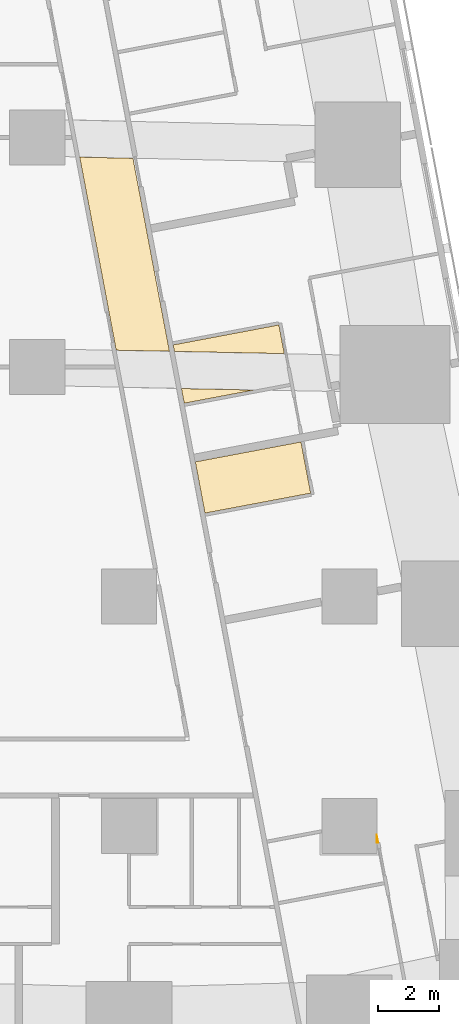
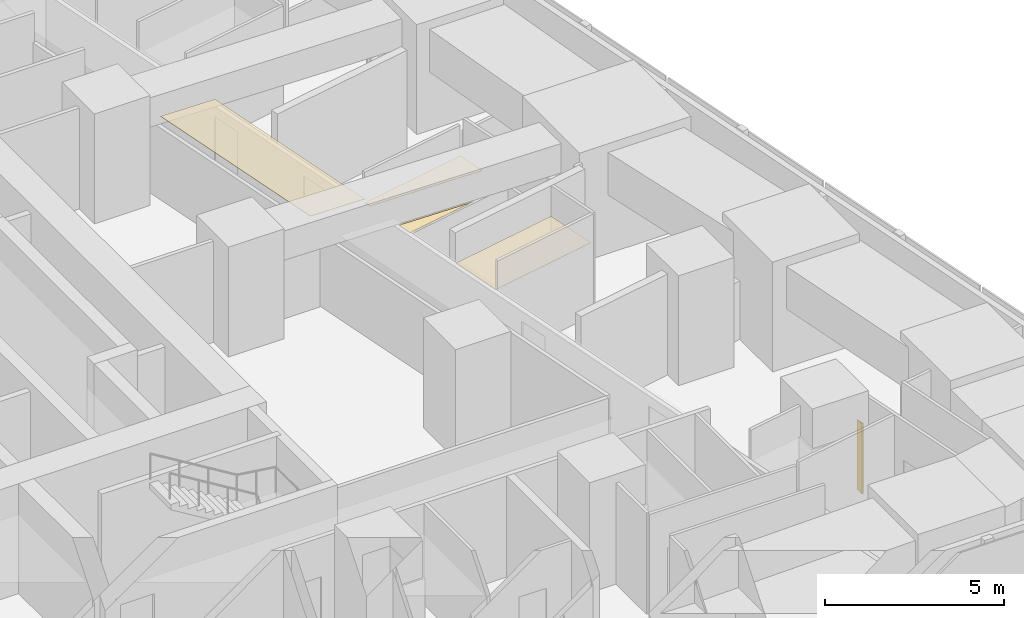
# One storey, part 14 of 15: 5 coverings.
"""IFC4 building model written with IfcOpenShell, lengths in metres."""

from ifc_helpers import new_model, si_unit, direction, frame, origin, place, context, subcontext, project, spatial, polyline, outline, extrude, material, layer, layer_set, type_object, element, save


model = new_model("IFC4")

# Units and contexts
model_context = context("Model", 3, precision=1e-05, world=origin(), true_north=direction((0.0, 1.0)))
body_context = subcontext(model_context, "Body", "Model", "MODEL_VIEW")
ifc_project = project(units=[si_unit("LENGTHUNIT", "METRE"), si_unit("AREAUNIT", "SQUARE_METRE"), si_unit("VOLUMEUNIT", "CUBIC_METRE"), si_unit("PLANEANGLEUNIT", "RADIAN"), si_unit("MASSUNIT", "GRAM", prefix="KILO")], contexts=[model_context])

# Site, building, storey
site_placement = place(None, origin())
site = spatial("IfcSite", under=ifc_project, at=site_placement, CompositionType="ELEMENT")
building_placement = place(site_placement, origin())
building = spatial("IfcBuilding", under=site, at=building_placement, Name="Sheger Commons Tower", CompositionType="ELEMENT")
storey_placement = place(building_placement, frame((0.0, 0.0, 68.75)))
storey = spatial("IfcBuildingStorey", under=building, at=storey_placement, Name="L17", CompositionType="ELEMENT", Elevation=68.75)

# Coverings
ifc_material_1 = material(Name="Moisture-resistant gypsum plasterboard 15 mm on a suspended galvanised steel grid", Category="steel")
ifc_layer_1 = layer(ifc_material_1, 0.014892578125)
ifc_layer_set_1 = layer_set([ifc_layer_1], Name="MOISTURE-RESISTANT CEILING 15")
covering_type_1 = type_object("IfcCoveringType", Name="MOISTURE-RESISTANT CEILING 15", PredefinedType="CEILING", material=ifc_layer_set_1)
covering_1_placement = place(storey_placement, frame((0.0, 0.0, 2.39990234375)))
element("IfcCovering", 1, at=covering_1_placement, inside=storey, type_object=covering_type_1, Name="L17-10.B1 ceiling", PredefinedType="CEILING", context=body_context, shape_type="SweptSolid", body=[
    extrude(outline(polyline([(37.803955078125, 21.320068359375), (40.0791015625, 21.75), (40.0791015625, 21.7509765625), (37.714111328125, 21.799072265625), (37.803955078125, 21.320068359375)])), origin(), (0.0, 0.0, 1.0), 0.01513671875),
])
covering_2_placement = place(storey_placement, frame((0.0, 0.0, 2.39990234375)))
element("IfcCovering", 2, at=covering_2_placement, inside=storey, type_object=covering_type_1, Name="L17-10.B1 ceiling", PredefinedType="CEILING", context=body_context, shape_type="SweptSolid", body=[
    extrude(outline(polyline([(41.074951171875, 22.94189453125), (40.89794921875, 23.87890625), (37.444091796875, 23.22607421875), (37.48388671875, 23.013916015625), (41.074951171875, 22.94189453125)])), origin(), (0.0, 0.0, 1.0), 0.01513671875),
])
covering_3_placement = place(storey_placement, frame((0.0, 0.0, 2.39990234375)))
element("IfcCovering", 3, at=covering_3_placement, inside=storey, type_object=covering_type_1, Name="L17-11.B1 ceiling", PredefinedType="CEILING", context=body_context, shape_type="SweptSolid", body=[
    extrude(outline(polyline([(38.48291015625, 17.72802734375), (41.93701171875, 18.3798828125), (41.6201171875, 20.054931640625), (38.1669921875, 19.403076171875), (38.48291015625, 17.72802734375)])), origin(), (0.0, 0.0, 1.0), 0.01513671875),
])
ifc_material_2 = material(Name="Gypsum plasterboard 15 mm on a suspended steel grid", Category="steel")
ifc_layer_2 = layer(ifc_material_2, 0.014892578125)
ifc_layer_set_2 = layer_set([ifc_layer_2], Name="SUSPENDED CEILING 15")
covering_type_2 = type_object("IfcCoveringType", Name="SUSPENDED CEILING 15", PredefinedType="CEILING", material=ifc_layer_set_2)
covering_4_placement = place(storey_placement, frame((0.0, 0.0, 2.699951171875)))
element("IfcCovering", 4, at=covering_4_placement, inside=storey, type_object=covering_type_2, Name="L17-CO ceiling", PredefinedType="CEILING", context=body_context, shape_type="SweptSolid", body=[
    extrude(outline(polyline([(37.321044921875, 23.01806640625), (36.1298828125, 29.323974609375), (34.388916015625, 29.363037109375), (35.5810546875, 23.052978515625), (37.321044921875, 23.01806640625)])), origin(), (0.0, 0.0, 1.0), 0.01513671875),
])
ifc_material_3 = material(Name="Moisture-resistant gypsum board 12.5 mm on 25 mm treated timber battens, tanked and tiled", Category="wood")
ifc_layer_3 = layer(ifc_material_3, 0.050048828125)
ifc_layer_set_3 = layer_set([ifc_layer_3], Name="WET-ROOM COLUMN LINING")
covering_type_3 = type_object("IfcCoveringType", Name="WET-ROOM COLUMN LINING", PredefinedType="CLADDING", material=ifc_layer_set_3)
covering_5_placement = place(storey_placement, origin())
element("IfcCovering", 5, at=covering_5_placement, inside=storey, type_object=covering_type_3, Name="Bathroom column lining C8 L17", PredefinedType="CLADDING", context=body_context, shape_type="SweptSolid", body=[
    extrude(outline(polyline([(44.10009765625, 7.221923828125), (44.14990234375, 6.9599609375), (44.10009765625, 6.950927734375), (44.10009765625, 7.221923828125)])), origin(), (0.0, 0.0, 1.0), 2.39990234375),
])

save(model, "model.ifc")
